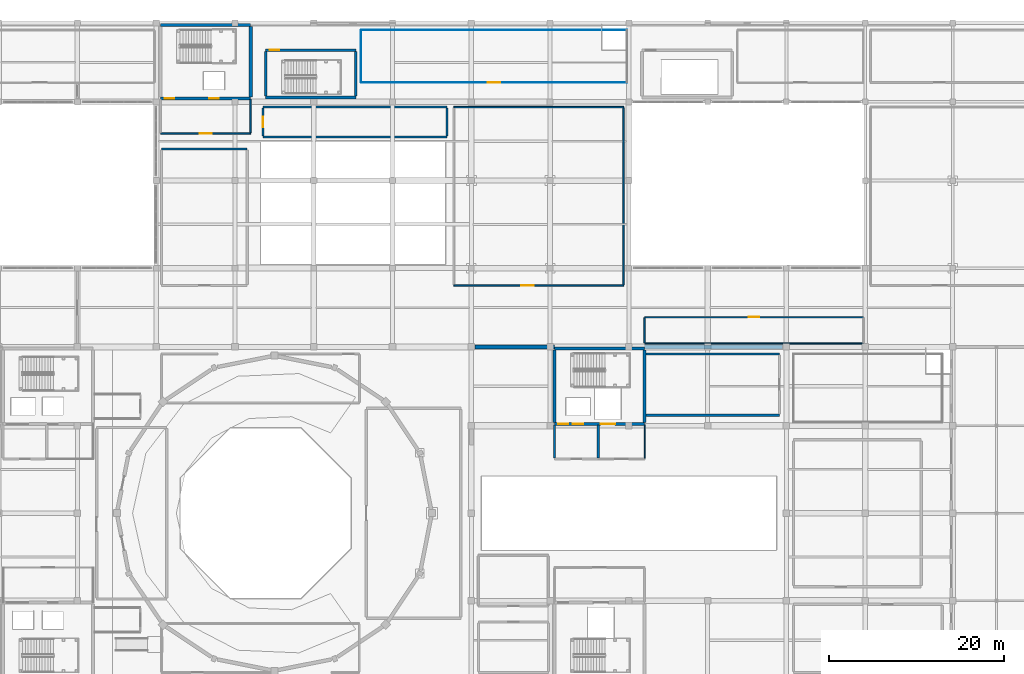
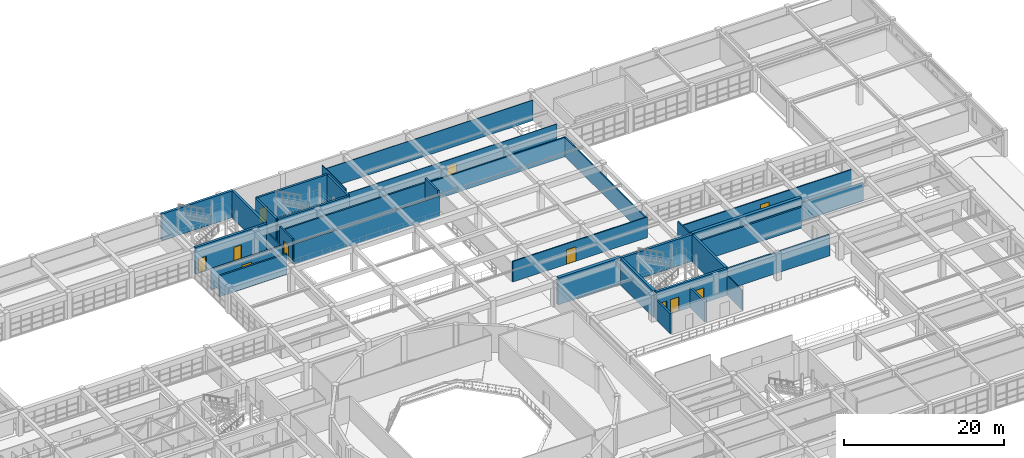
# One storey, part 115 of 130: 34 walls, 11 doors, 11 openings.
"""IFC4 building model written with IfcOpenShell, lengths in metres."""

from ifc_helpers import new_model, si_unit, direction, frame, frame_2d, origin, place, context, subcontext, project, spatial, rectangle, extrude, material, layer, layer_set, type_object, element, fill, save


model = new_model("IFC4")

# Units and contexts
model_context = context("Model", 3, precision=1e-05, world=origin(), true_north=direction((0.0, 1.0)))
body_context = subcontext(model_context, "Body", "Model", "MODEL_VIEW")
ifc_project = project(units=[si_unit("LENGTHUNIT", "METRE"), si_unit("AREAUNIT", "SQUARE_METRE"), si_unit("VOLUMEUNIT", "CUBIC_METRE"), si_unit("PLANEANGLEUNIT", "RADIAN"), si_unit("MASSUNIT", "GRAM", prefix="KILO")], contexts=[model_context])

# Site, building, storey
site_placement = place(None, origin())
site = spatial("IfcSite", under=ifc_project, at=site_placement, CompositionType="ELEMENT")
building_placement = place(site_placement, origin())
building = spatial("IfcBuilding", under=site, at=building_placement, Name="Miravela Opera House", CompositionType="ELEMENT")
storey_placement = place(building_placement, frame((0.0, 0.0, 9.52001953125)))
storey = spatial("IfcBuildingStorey", under=building, at=storey_placement, Name="L02", CompositionType="ELEMENT", Elevation=9.52001953125)

# Wall, opening, door
ifc_material_1 = material(Name="Acoustic metal-stud gypsum partition")
ifc_layer_1 = layer(ifc_material_1, 0.090087890625)
ifc_layer_set_1 = layer_set([ifc_layer_1])
wall_type_1 = type_object("IfcWallType", Name="ARC-PT-090", PredefinedType="PARTITIONING", material=ifc_layer_set_1)
wall_1_placement = place(storey_placement, frame((86.39990234375, 105.199951171875, 0.0), z_axis=(0.0, 0.0, 1.0), x_axis=(1.0, 0.0, 0.0)))
wall_1 = element("IfcWall", 1, at=wall_1_placement, inside=storey, type_object=wall_type_1, Name="Opera Libretto Study Hall Partition South", PredefinedType="PARTITIONING", context=body_context, shape_type="SweptSolid", body=[
    extrude(rectangle(XDim=30.400146484375, YDim=0.090087890625, at=frame_2d((15.2001953125, 0.0))), origin(), (0.0, 0.0, 1.0), 3.119873046875),
])
opening_1_placement = place(wall_1_placement, frame((14.5, 0.0, 0.0)))
opening_1 = element("IfcOpeningElement", 2, at=opening_1_placement, cuts=wall_1, Name="Opening ID-05", PredefinedType="OPENING", context=body_context, shape_type="SweptSolid", body=[
    extrude(rectangle(XDim=1.39990234375, YDim=2.199951171875, at=frame_2d((0.699951171875, 1.10009765625))), frame((0.0, 0.054931640625, 0.0), z_axis=(0.0, -1.0, 0.0), x_axis=(1.0, 0.0, 0.0)), (0.0, 0.0, 1.0), 0.110107421875),
])
ifc_material_2 = material(Name="Double-leaf glazed mahogany salon door")
door_type_1 = type_object("IfcDoorType", Name="ARC-DR-1400X2200", OperationType="NOTDEFINED", PredefinedType="DOOR", material=ifc_material_2)
door_1_placement = place(opening_1_placement, origin())
door_1 = element("IfcDoor", 3, at=door_1_placement, inside=storey, type_object=door_type_1, Name="Opera Libretto Study Hall Entry Door IDR-L02-0245", OperationType="DOUBLE_DOOR_SINGLE_SWING", OverallHeight=2.199951171875, OverallWidth=1.39990234375, PredefinedType="DOOR", context=body_context, shape_type="SweptSolid", body=[
    extrude(rectangle(XDim=1.39990234375, YDim=2.199951171875, at=frame_2d((0.699951171875, 1.10009765625))), frame((0.0, 0.02490234375, 0.0), z_axis=(0.0, -1.0, 0.0), x_axis=(1.0, 0.0, 0.0)), (0.0, 0.0, 1.0), 0.050048828125),
])
fill(opening_1, door_1)

# Walls
wall_2_placement = place(storey_placement, frame((86.39990234375, 111.199951171875, 0.0), z_axis=(0.0, 0.0, 1.0), x_axis=(1.0, 0.0, 0.0)))
element("IfcWall", 4, at=wall_2_placement, inside=storey, type_object=wall_type_1, Name="Opera Libretto Study Hall Partition North", PredefinedType="PARTITIONING", context=body_context, shape_type="SweptSolid", body=[
    extrude(rectangle(XDim=30.400146484375, YDim=0.090087890625, at=frame_2d((15.2001953125, 0.0))), origin(), (0.0, 0.0, 1.0), 3.119873046875),
])
wall_3_placement = place(storey_placement, frame((86.39990234375, 105.2451171875, 0.0), z_axis=(0.0, 0.0, 1.0), x_axis=(0.0, 1.0, 0.0)))
element("IfcWall", 5, at=wall_3_placement, inside=storey, type_object=wall_type_1, Name="Opera Libretto Study Hall Partition West", PredefinedType="PARTITIONING", context=body_context, shape_type="SweptSolid", body=[
    extrude(rectangle(XDim=5.909912109375, YDim=0.090087890625, at=frame_2d((2.955078125, 0.0))), origin(), (0.0, 0.0, 1.0), 3.840087890625),
])
ifc_material_3 = material(Name="Fire-rated acoustic gypsum partition")
ifc_layer_2 = layer(ifc_material_3, 0.1298828125)
ifc_layer_set_2 = layer_set([ifc_layer_2])
wall_type_2 = type_object("IfcWallType", Name="ARC-PT-130", PredefinedType="PARTITIONING", material=ifc_layer_set_2)
wall_4_placement = place(storey_placement, frame((118.800048828125, 62.264892578125, 0.0), z_axis=(0.0, 0.0, 1.0), x_axis=(0.0, 1.0, 0.0)))
element("IfcWall", 6, at=wall_4_placement, inside=storey, type_object=wall_type_2, Name="Passenger Lift Lobby K3 L02 Partition East", PredefinedType="PARTITIONING", context=body_context, shape_type="SweptSolid", body=[
    extrude(rectangle(XDim=3.8701171875, YDim=0.1298828125, at=frame_2d((1.93505859375, 0.0))), origin(), (0.0, 0.0, 1.0), 3.070068359375),
])
ifc_material_4 = material(Name="Studio double-stud acoustic partition")
ifc_layer_3 = layer(ifc_material_4, 0.14990234375)
ifc_layer_set_3 = layer_set([ifc_layer_3])
wall_type_3 = type_object("IfcWallType", Name="ARC-PT-145", PredefinedType="PARTITIONING", material=ifc_layer_set_3)
wall_5_placement = place(storey_placement, frame((118.800048828125, 75.39990234375, 0.0), z_axis=(0.0, 0.0, 1.0), x_axis=(1.0, 0.0, 0.0)))
element("IfcWall", 7, at=wall_5_placement, inside=storey, type_object=wall_type_3, Name="Choir Repertoire Preparation Studio Partition South", PredefinedType="PARTITIONING", context=body_context, shape_type="SweptSolid", body=[
    extrude(rectangle(XDim=25.0, YDim=0.14990234375, at=frame_2d((12.5, 0.0))), origin(), (0.0, 0.0, 1.0), 2.820068359375),
])

# Wall, opening, door
wall_6_placement = place(storey_placement, frame((118.800048828125, 78.39990234375, 0.0), z_axis=(0.0, 0.0, 1.0), x_axis=(1.0, 0.0, 0.0)))
wall_6 = element("IfcWall", 8, at=wall_6_placement, inside=storey, type_object=wall_type_3, Name="Choir Repertoire Preparation Studio Partition North", PredefinedType="PARTITIONING", context=body_context, shape_type="SweptSolid", body=[
    extrude(rectangle(XDim=25.0, YDim=0.14990234375, at=frame_2d((12.5, 0.0))), origin(), (0.0, 0.0, 1.0), 2.969970703125),
])
opening_2_placement = place(wall_6_placement, frame((11.89990234375, 0.0, 0.0)))
opening_2 = element("IfcOpeningElement", 9, at=opening_2_placement, cuts=wall_6, Name="Opening ID-04", PredefinedType="OPENING", context=body_context, shape_type="SweptSolid", body=[
    extrude(rectangle(XDim=1.199951171875, YDim=2.199951171875, at=frame_2d((0.60009765625, 1.10009765625))), frame((0.0, 0.0849609375, 0.0), z_axis=(0.0, -1.0, 0.0), x_axis=(1.0, 0.0, 0.0)), (0.0, 0.0, 1.0), 0.169921875),
])
ifc_material_5 = material(Name="Wide acoustic ensemble door")
door_type_2 = type_object("IfcDoorType", Name="ARC-DR-1200X2200", OperationType="NOTDEFINED", PredefinedType="DOOR", material=ifc_material_5)
door_2_placement = place(opening_2_placement, origin())
door_2 = element("IfcDoor", 10, at=door_2_placement, inside=storey, type_object=door_type_2, Name="Choir Repertoire Preparation Studio Entry Door IDR-L02-0239", OperationType="SINGLE_SWING_RIGHT", OverallHeight=2.199951171875, OverallWidth=1.199951171875, PredefinedType="DOOR", context=body_context, shape_type="SweptSolid", body=[
    extrude(rectangle(XDim=1.199951171875, YDim=2.199951171875, at=frame_2d((0.60009765625, 1.10009765625))), frame((0.0, 0.02490234375, 0.0), z_axis=(0.0, -1.0, 0.0), x_axis=(1.0, 0.0, 0.0)), (0.0, 0.0, 1.0), 0.050048828125),
])
fill(opening_2, door_2)

# Wall
wall_7_placement = place(storey_placement, frame((118.800048828125, 75.47509765625, 0.0), z_axis=(0.0, 0.0, 1.0), x_axis=(0.0, 1.0, 0.0)))
element("IfcWall", 11, at=wall_7_placement, inside=storey, type_object=wall_type_3, Name="Choir Repertoire Preparation Studio Partition West", PredefinedType="PARTITIONING", context=body_context, shape_type="SweptSolid", body=[
    extrude(rectangle(XDim=2.849853515625, YDim=0.14990234375, at=frame_2d((1.4248046875, 0.0))), origin(), (0.0, 0.0, 1.0), 3.840087890625),
])

# Wall, opening, door
ifc_material_6 = material(Name="Rehearsal isolated acoustic partition")
ifc_layer_4 = layer(ifc_material_6, 0.169921875)
ifc_layer_set_4 = layer_set([ifc_layer_4])
wall_type_4 = type_object("IfcWallType", Name="ARC-PT-170", PredefinedType="PARTITIONING", material=ifc_layer_set_4)
wall_8_placement = place(storey_placement, frame((63.5, 99.39990234375, 0.0), z_axis=(0.0, 0.0, 1.0), x_axis=(1.0, 0.0, 0.0)))
wall_8 = element("IfcWall", 12, at=wall_8_placement, inside=storey, type_object=wall_type_4, Name="Passenger Lift Lobby K5 L02 Partition South", PredefinedType="PARTITIONING", context=body_context, shape_type="SweptSolid", body=[
    extrude(rectangle(XDim=10.300048828125, YDim=0.169921875, at=frame_2d((5.14990234375, 0.0))), origin(), (0.0, 0.0, 1.0), 3.169921875),
])
opening_3_placement = place(wall_8_placement, frame((4.449951171875, 0.0, 0.0)))
opening_3 = element("IfcOpeningElement", 13, at=opening_3_placement, cuts=wall_8, Name="Opening FD-03", PredefinedType="OPENING", context=body_context, shape_type="SweptSolid", body=[
    extrude(rectangle(XDim=1.39990234375, YDim=2.199951171875, at=frame_2d((0.699951171875, 1.10009765625))), frame((0.0, 0.094970703125, 0.0), z_axis=(0.0, -1.0, 0.0), x_axis=(1.0, 0.0, 0.0)), (0.0, 0.0, 1.0), 0.18994140625),
])
ifc_material_7 = material(Name="Fire-rated lobby/archive double door")
door_type_3 = type_object("IfcDoorType", Name="ARC-FD-1400X2200", OperationType="NOTDEFINED", PredefinedType="DOOR", material=ifc_material_7)
door_3_placement = place(opening_3_placement, frame((1.39990234375, 0.0, 0.0), z_axis=(0.0, 0.0, 1.0), x_axis=(-1.0, 0.0, 0.0)))
door_3 = element("IfcDoor", 14, at=door_3_placement, inside=storey, type_object=door_type_3, Name="Passenger Lift Lobby K5 L02 Entry Door IDR-L02-0219", OperationType="DOUBLE_DOOR_SINGLE_SWING", OverallHeight=2.199951171875, OverallWidth=1.39990234375, PredefinedType="DOOR", context=body_context, shape_type="SweptSolid", body=[
    extrude(rectangle(XDim=1.39990234375, YDim=2.199951171875, at=frame_2d((0.699951171875, 1.10009765625))), frame((0.0, 0.02490234375, 0.0), z_axis=(0.0, -1.0, 0.0), x_axis=(1.0, 0.0, 0.0)), (0.0, 0.0, 1.0), 0.050048828125),
])
fill(opening_3, door_3)

# Wall
wall_9_placement = place(storey_placement, frame((73.800048828125, 99.485107421875, 0.0), z_axis=(0.0, 0.0, 1.0), x_axis=(0.0, 1.0, 0.0)))
element("IfcWall", 15, at=wall_9_placement, inside=storey, type_object=wall_type_4, Name="Passenger Lift Lobby K5 L02 Partition East", PredefinedType="PARTITIONING", context=body_context, shape_type="SweptSolid", body=[
    extrude(rectangle(XDim=3.829833984375, YDim=0.169921875, at=frame_2d((1.9150390625, 0.0))), origin(), (0.0, 0.0, 1.0), 2.919921875),
])

# Wall, opening, door
wall_10_placement = place(storey_placement, frame((97.0, 82.0, 0.0), z_axis=(0.0, 0.0, 1.0), x_axis=(1.0, 0.0, 0.0)))
wall_10 = element("IfcWall", 16, at=wall_10_placement, inside=storey, type_object=wall_type_4, Name="Studio Balcony Seating Tier Partition South", PredefinedType="PARTITIONING", context=body_context, shape_type="SweptSolid", body=[
    extrude(rectangle(XDim=19.39990234375, YDim=0.169921875, at=frame_2d((9.699951171875, 0.0))), origin(), (0.0, 0.0, 1.0), 3.139892578125),
])
opening_4_placement = place(wall_10_placement, frame((7.712890625, 0.0, 0.0)))
opening_4 = element("IfcOpeningElement", 17, at=opening_4_placement, cuts=wall_10, Name="Opening FD-03", PredefinedType="OPENING", context=body_context, shape_type="SweptSolid", body=[
    extrude(rectangle(XDim=1.39990234375, YDim=2.199951171875, at=frame_2d((0.699951171875, 1.10009765625))), frame((0.0, 0.094970703125, 0.0), z_axis=(0.0, -1.0, 0.0), x_axis=(1.0, 0.0, 0.0)), (0.0, 0.0, 1.0), 0.18994140625),
])
door_4_placement = place(opening_4_placement, frame((1.39990234375, 0.0, 0.0), z_axis=(0.0, 0.0, 1.0), x_axis=(-1.0, 0.0, 0.0)))
door_4 = element("IfcDoor", 18, at=door_4_placement, inside=storey, type_object=door_type_3, Name="Studio Balcony Seating Tier Entry Door IDR-L02-0231", OperationType="DOUBLE_DOOR_SINGLE_SWING", OverallHeight=2.199951171875, OverallWidth=1.39990234375, PredefinedType="DOOR", context=body_context, shape_type="SweptSolid", body=[
    extrude(rectangle(XDim=1.39990234375, YDim=2.199951171875, at=frame_2d((0.699951171875, 1.10009765625))), frame((0.0, 0.02490234375, 0.0), z_axis=(0.0, -1.0, 0.0), x_axis=(1.0, 0.0, 0.0)), (0.0, 0.0, 1.0), 0.050048828125),
])
fill(opening_4, door_4)

# Walls
wall_11_placement = place(storey_placement, frame((97.0, 102.39990234375, 0.0), z_axis=(0.0, 0.0, 1.0), x_axis=(1.0, 0.0, 0.0)))
element("IfcWall", 19, at=wall_11_placement, inside=storey, type_object=wall_type_4, Name="Studio Balcony Seating Tier Partition North", PredefinedType="PARTITIONING", context=body_context, shape_type="SweptSolid", body=[
    extrude(rectangle(XDim=19.39990234375, YDim=0.169921875, at=frame_2d((9.699951171875, 0.0))), origin(), (0.0, 0.0, 1.0), 2.969970703125),
])
wall_12_placement = place(storey_placement, frame((116.39990234375, 82.0849609375, 0.0), z_axis=(0.0, 0.0, 1.0), x_axis=(0.0, 1.0, 0.0)))
element("IfcWall", 20, at=wall_12_placement, inside=storey, type_object=wall_type_4, Name="Studio Balcony Seating Tier Partition East", PredefinedType="PARTITIONING", context=body_context, shape_type="SweptSolid", body=[
    extrude(rectangle(XDim=20.22998046875, YDim=0.169921875, at=frame_2d((10.114990234375, 0.0))), origin(), (0.0, 0.0, 1.0), 2.919921875),
])
ifc_material_8 = material(Name="High-STC auditorium lobby partition")
ifc_layer_5 = layer(ifc_material_8, 0.22998046875)
ifc_layer_set_5 = layer_set([ifc_layer_5])
wall_type_5 = type_object("IfcWallType", Name="ARC-PT-205", PredefinedType="PARTITIONING", material=ifc_layer_set_5)
for number, where, z_axis, x_axis, name in (
    (21, (75.199951171875, 99.0, 0.0), (0.0, 0.0, 1.0), (1.0, 0.0, 0.0), "Soloist Piano Accompaniment Studio Partition South"),
    (22, (75.199951171875, 102.39990234375, 0.0), (0.0, 0.0, 1.0), (1.0, 0.0, 0.0), "Soloist Piano Accompaniment Studio Partition North"),
):
    element("IfcWall", number, at=place(storey_placement, frame(where, z_axis=z_axis, x_axis=x_axis)), inside=storey, type_object=wall_type_5, Name=name, PredefinedType="PARTITIONING", context=body_context, shape_type="SweptSolid", body=[
        extrude(rectangle(XDim=21.0, YDim=0.22998046875, at=frame_2d((10.5, 0.0))), origin(), (0.0, 0.0, 1.0), 3.119873046875),
    ])

# Wall, opening, door
wall_13_placement = place(storey_placement, frame((75.199951171875, 99.114990234375, 0.0), z_axis=(0.0, 0.0, 1.0), x_axis=(0.0, 1.0, 0.0)))
wall_13 = element("IfcWall", 23, at=wall_13_placement, inside=storey, type_object=wall_type_5, Name="Soloist Piano Accompaniment Studio Partition West", PredefinedType="PARTITIONING", context=body_context, shape_type="SweptSolid", body=[
    extrude(rectangle(XDim=3.169921875, YDim=0.22998046875, at=frame_2d((1.5849609375, 0.0))), origin(), (0.0, 0.0, 1.0), 3.840087890625),
])
opening_5_placement = place(wall_13_placement, frame((0.985107421875, 0.0, 0.0)))
opening_5 = element("IfcOpeningElement", 24, at=opening_5_placement, cuts=wall_13, Name="Opening ID-04", PredefinedType="OPENING", context=body_context, shape_type="SweptSolid", body=[
    extrude(rectangle(XDim=1.199951171875, YDim=2.199951171875, at=frame_2d((0.60009765625, 1.10009765625))), frame((0.0, 0.125, 0.0), z_axis=(0.0, -1.0, 0.0), x_axis=(1.0, 0.0, 0.0)), (0.0, 0.0, 1.0), 0.25),
])
door_5_placement = place(opening_5_placement, frame((1.199951171875, 0.0, 0.0), z_axis=(0.0, 0.0, 1.0), x_axis=(-1.0, 0.0, 0.0)))
door_5 = element("IfcDoor", 25, at=door_5_placement, inside=storey, type_object=door_type_2, Name="Soloist Piano Accompaniment Studio Entry Door IDR-L02-0252", OperationType="SINGLE_SWING_RIGHT", OverallHeight=2.199951171875, OverallWidth=1.199951171875, PredefinedType="DOOR", context=body_context, shape_type="SweptSolid", body=[
    extrude(rectangle(XDim=1.199951171875, YDim=2.199951171875, at=frame_2d((0.60009765625, 1.10009765625))), frame((0.0, 0.02490234375, 0.0), z_axis=(0.0, -1.0, 0.0), x_axis=(1.0, 0.0, 0.0)), (0.0, 0.0, 1.0), 0.050048828125),
])
fill(opening_5, door_5)

# Walls
wall_14_placement = place(storey_placement, frame((96.199951171875, 99.114990234375, 0.0), z_axis=(0.0, 0.0, 1.0), x_axis=(0.0, 1.0, 0.0)))
element("IfcWall", 26, at=wall_14_placement, inside=storey, type_object=wall_type_5, Name="Soloist Piano Accompaniment Studio Partition East", PredefinedType="PARTITIONING", context=body_context, shape_type="SweptSolid", body=[
    extrude(rectangle(XDim=3.169921875, YDim=0.22998046875, at=frame_2d((1.5849609375, 0.0))), origin(), (0.0, 0.0, 1.0), 3.840087890625),
])
ifc_material_9 = material(Name="Firefighting lobby compartment wall")
ifc_layer_6 = layer(ifc_material_9, 0.25)
ifc_layer_set_6 = layer_set([ifc_layer_6])
wall_type_6 = type_object("IfcWallType", Name="ARC-PT-220", PredefinedType="PARTITIONING", material=ifc_layer_set_6)
for number, where, z_axis, x_axis, name in (
    (27, (108.5, 62.324951171875, 0.0), (0.0, 0.0, 1.0), (0.0, 1.0, 0.0), "Firefighting Lobby K3 L02 Partition West"),
    (28, (113.5, 62.324951171875, 0.0), (0.0, 0.0, 1.0), (0.0, 1.0, 0.0), "Firefighting Lobby K3 L02 Partition East"),
):
    element("IfcWall", number, at=place(storey_placement, frame(where, z_axis=z_axis, x_axis=x_axis)), inside=storey, type_object=wall_type_6, Name=name, PredefinedType="PARTITIONING", context=body_context, shape_type="SweptSolid", body=[
        extrude(rectangle(XDim=3.75, YDim=0.25, at=frame_2d((1.875, 0.0))), origin(), (0.0, 0.0, 1.0), 3.070068359375),
    ])
for number, where, z_axis, x_axis, name in (
    (29, (118.97509765625, 67.199951171875, 0.0), (0.0, 0.0, 1.0), (1.0, 0.0, 0.0), "Stage Fly Gallery Lower North Partition South"),
    (30, (118.97509765625, 74.199951171875, 0.0), (0.0, 0.0, 1.0), (1.0, 0.0, 0.0), "Stage Fly Gallery Lower North Partition North"),
):
    element("IfcWall", number, at=place(storey_placement, frame(where, z_axis=z_axis, x_axis=x_axis)), inside=storey, type_object=wall_type_6, Name=name, PredefinedType="PARTITIONING", context=body_context, shape_type="SweptSolid", body=[
        extrude(rectangle(XDim=15.224853515625, YDim=0.25, at=frame_2d((7.6123046875, 0.0))), origin(), (0.0, 0.0, 1.0), 3.169921875),
    ])
wall_15_placement = place(storey_placement, frame((63.60009765625, 97.60009765625, 0.0), z_axis=(0.0, 0.0, 1.0), x_axis=(1.0, 0.0, 0.0)))
element("IfcWall", 31, at=wall_15_placement, inside=storey, type_object=wall_type_6, Name="Orchestral Brass and Percussion Studio Partition North", PredefinedType="PARTITIONING", context=body_context, shape_type="SweptSolid", body=[
    extrude(rectangle(XDim=9.7998046875, YDim=0.25, at=frame_2d((4.89990234375, 0.0))), origin(), (0.0, 0.0, 1.0), 3.169921875),
])

# Wall, openings, doors
ifc_material_10 = material(Name="Concrete C40/50", Category="concrete")
ifc_layer_7 = layer(ifc_material_10, 0.35009765625)
ifc_layer_set_7 = layer_set([ifc_layer_7])
wall_type_7 = type_object("IfcWallType", Name="STR-WALL-CORE-350", PredefinedType="SHEAR", material=ifc_layer_set_7)
wall_16_placement = place(storey_placement, frame((108.5, 66.199951171875, 0.0), z_axis=(0.0, 0.0, 1.0), x_axis=(1.0, 0.0, 0.0)))
wall_16 = element("IfcWall", 32, at=wall_16_placement, inside=storey, type_object=wall_type_7, Name="Core K3 Shear Wall South (L02)", PredefinedType="SHEAR", context=body_context, shape_type="SweptSolid", body=[
    extrude(rectangle(XDim=10.300048828125, YDim=0.35009765625, at=frame_2d((5.14990234375, 0.0))), origin(), (0.0, 0.0, 1.0), 4.080078125),
])
opening_6_placement = place(wall_16_placement, frame((0.449951171875, 0.0, 0.0)))
opening_6 = element("IfcOpeningElement", 33, at=opening_6_placement, cuts=wall_16, Name="Opening FD-01", PredefinedType="OPENING", context=body_context, shape_type="SweptSolid", body=[
    extrude(rectangle(XDim=1.10009765625, YDim=2.199951171875, at=frame_2d((0.550048828125, 1.10009765625))), frame((0.0, 0.18505859375, 0.0), z_axis=(0.0, -1.0, 0.0), x_axis=(1.0, 0.0, 0.0)), (0.0, 0.0, 1.0), 0.3701171875),
])
opening_7_placement = place(wall_16_placement, frame((2.090087890625, 0.0, 0.0)))
opening_7 = element("IfcOpeningElement", 34, at=opening_7_placement, cuts=wall_16, Name="Opening LD-01", PredefinedType="OPENING", context=body_context, shape_type="SweptSolid", body=[
    extrude(rectangle(XDim=1.219970703125, YDim=2.199951171875, at=frame_2d((0.60986328125, 1.10009765625))), frame((0.0, 0.18505859375, 0.0), z_axis=(0.0, -1.0, 0.0), x_axis=(1.0, 0.0, 0.0)), (0.0, 0.0, 1.0), 0.3701171875),
])
opening_8_placement = place(wall_16_placement, frame((5.27490234375, 0.0, 0.0)))
opening_8 = element("IfcOpeningElement", 35, at=opening_8_placement, cuts=wall_16, Name="Opening LD-03", PredefinedType="OPENING", context=body_context, shape_type="SweptSolid", body=[
    extrude(rectangle(XDim=1.64990234375, YDim=2.340087890625, at=frame_2d((0.824951171875, 1.169921875))), frame((0.0, 0.18505859375, 0.0), z_axis=(0.0, -1.0, 0.0), x_axis=(1.0, 0.0, 0.0)), (0.0, 0.0, 1.0), 0.3701171875),
])
ifc_material_11 = material(Name="Fire-rated steel/hardwood exit stair door", Category="steel")
door_type_4 = type_object("IfcDoorType", Name="ARC-FD-1100X2200", OperationType="NOTDEFINED", PredefinedType="DOOR", material=ifc_material_11)
door_6_placement = place(opening_6_placement, origin())
door_6 = element("IfcDoor", 36, at=door_6_placement, inside=storey, type_object=door_type_4, Name="Exit Stair ST-03 Rated Door (L02) IDR-L02-0019", OperationType="SINGLE_SWING_LEFT", OverallHeight=2.199951171875, OverallWidth=1.10009765625, PredefinedType="DOOR", context=body_context, shape_type="SweptSolid", body=[
    extrude(rectangle(XDim=1.10009765625, YDim=2.199951171875, at=frame_2d((0.550048828125, 1.10009765625))), frame((0.0, 0.02490234375, 0.0), z_axis=(0.0, -1.0, 0.0), x_axis=(1.0, 0.0, 0.0)), (0.0, 0.0, 1.0), 0.050048828125),
])
fill(opening_6, door_6)
ifc_material_12 = material(Name="Brushed stainless and bronze fire-rated lift landing door")
door_type_5 = type_object("IfcDoorType", Name="ARC-LD-FFL-1200X2200", OperationType="SLIDING_TO_LEFT", PredefinedType="DOOR", material=ifc_material_12)
door_7_placement = place(opening_7_placement, origin())
door_7 = element("IfcDoor", 37, at=door_7_placement, inside=storey, type_object=door_type_5, Name="Lift Landing Door FFL-02 (L02)", OperationType="SLIDING_TO_LEFT", OverallHeight=2.199951171875, OverallWidth=1.219970703125, PredefinedType="DOOR", context=body_context, shape_type="SweptSolid", body=[
    extrude(rectangle(XDim=1.219970703125, YDim=2.199951171875, at=frame_2d((0.60986328125, 1.10009765625))), frame((0.0, 0.02490234375, 0.0), z_axis=(0.0, -1.0, 0.0), x_axis=(1.0, 0.0, 0.0)), (0.0, 0.0, 1.0), 0.050048828125),
])
fill(opening_7, door_7)
door_type_6 = type_object("IfcDoorType", Name="ARC-LD-FRT-1650X2350", OperationType="SLIDING_TO_LEFT", PredefinedType="DOOR", material=ifc_material_12)
door_8_placement = place(opening_8_placement, origin())
door_8 = element("IfcDoor", 38, at=door_8_placement, inside=storey, type_object=door_type_6, Name="Lift Landing Door FL-01 (L02)", OperationType="SLIDING_TO_LEFT", OverallHeight=2.340087890625, OverallWidth=1.64990234375, PredefinedType="DOOR", context=body_context, shape_type="SweptSolid", body=[
    extrude(rectangle(XDim=1.64990234375, YDim=2.340087890625, at=frame_2d((0.824951171875, 1.169921875))), frame((0.0, 0.02490234375, 0.0), z_axis=(0.0, -1.0, 0.0), x_axis=(1.0, 0.0, 0.0)), (0.0, 0.0, 1.0), 0.050048828125),
])
fill(opening_8, door_8)

# Walls
wall_17_placement = place(storey_placement, frame((108.5, 74.800048828125, 0.0), z_axis=(0.0, 0.0, 1.0), x_axis=(1.0, 0.0, 0.0)))
element("IfcWall", 39, at=wall_17_placement, inside=storey, type_object=wall_type_7, Name="Core K3 Shear Wall North (L02)", PredefinedType="SHEAR", context=body_context, shape_type="SweptSolid", body=[
    extrude(rectangle(XDim=10.300048828125, YDim=0.35009765625, at=frame_2d((5.14990234375, 0.0))), origin(), (0.0, 0.0, 1.0), 4.080078125),
])
for number, where, z_axis, x_axis, name in (
    (40, (108.5, 66.375, 0.0), (0.0, 0.0, 1.0), (0.0, 1.0, 0.0), "Core K3 Shear Wall West (L02)"),
    (41, (118.800048828125, 66.375, 0.0), (0.0, 0.0, 1.0), (0.0, 1.0, 0.0), "Core K3 Shear Wall East (L02)"),
):
    element("IfcWall", number, at=place(storey_placement, frame(where, z_axis=z_axis, x_axis=x_axis)), inside=storey, type_object=wall_type_7, Name=name, PredefinedType="SHEAR", context=body_context, shape_type="SweptSolid", body=[
        extrude(rectangle(XDim=8.25, YDim=0.35009765625, at=frame_2d((4.125, 0.0))), origin(), (0.0, 0.0, 1.0), 4.080078125),
    ])

# Wall, openings, doors
wall_18_placement = place(storey_placement, frame((63.5, 103.39990234375, 0.0), z_axis=(0.0, 0.0, 1.0), x_axis=(1.0, 0.0, 0.0)))
wall_18 = element("IfcWall", 42, at=wall_18_placement, inside=storey, type_object=wall_type_7, Name="Core K5 Shear Wall South (L02)", PredefinedType="SHEAR", context=body_context, shape_type="SweptSolid", body=[
    extrude(rectangle(XDim=10.300048828125, YDim=0.35009765625, at=frame_2d((5.14990234375, 0.0))), origin(), (0.0, 0.0, 1.0), 4.080078125),
])
opening_9_placement = place(wall_18_placement, frame((0.449951171875, 0.0, 0.0)))
opening_9 = element("IfcOpeningElement", 43, at=opening_9_placement, cuts=wall_18, Name="Opening FD-01", PredefinedType="OPENING", context=body_context, shape_type="SweptSolid", body=[
    extrude(rectangle(XDim=1.10009765625, YDim=2.199951171875, at=frame_2d((0.550048828125, 1.10009765625))), frame((0.0, 0.18505859375, 0.0), z_axis=(0.0, -1.0, 0.0), x_axis=(1.0, 0.0, 0.0)), (0.0, 0.0, 1.0), 0.3701171875),
])
opening_10_placement = place(wall_18_placement, frame((5.5400390625, 0.0, 0.0)))
opening_10 = element("IfcOpeningElement", 44, at=opening_10_placement, cuts=wall_18, Name="Opening LD-02", PredefinedType="OPENING", context=body_context, shape_type="SweptSolid", body=[
    extrude(rectangle(XDim=1.1201171875, YDim=2.159912109375, at=frame_2d((0.56005859375, 1.080078125))), frame((0.0, 0.18505859375, 0.0), z_axis=(0.0, -1.0, 0.0), x_axis=(1.0, 0.0, 0.0)), (0.0, 0.0, 1.0), 0.3701171875),
])
door_9_placement = place(opening_9_placement, origin())
door_9 = element("IfcDoor", 45, at=door_9_placement, inside=storey, type_object=door_type_4, Name="Exit Stair ST-05 Rated Door (L02) IDR-L02-0033", OperationType="SINGLE_SWING_LEFT", OverallHeight=2.199951171875, OverallWidth=1.10009765625, PredefinedType="DOOR", context=body_context, shape_type="SweptSolid", body=[
    extrude(rectangle(XDim=1.10009765625, YDim=2.199951171875, at=frame_2d((0.550048828125, 1.10009765625))), frame((0.0, 0.02490234375, 0.0), z_axis=(0.0, -1.0, 0.0), x_axis=(1.0, 0.0, 0.0)), (0.0, 0.0, 1.0), 0.050048828125),
])
fill(opening_9, door_9)
door_type_7 = type_object("IfcDoorType", Name="ARC-LD-PAX-1100X2150", OperationType="SLIDING_TO_LEFT", PredefinedType="DOOR", material=ifc_material_12)
door_10_placement = place(opening_10_placement, origin())
door_10 = element("IfcDoor", 46, at=door_10_placement, inside=storey, type_object=door_type_7, Name="Lift Landing Door PL-04 (L02)", OperationType="SLIDING_TO_LEFT", OverallHeight=2.159912109375, OverallWidth=1.1201171875, PredefinedType="DOOR", context=body_context, shape_type="SweptSolid", body=[
    extrude(rectangle(XDim=1.1201171875, YDim=2.159912109375, at=frame_2d((0.56005859375, 1.080078125))), frame((0.0, 0.02490234375, 0.0), z_axis=(0.0, -1.0, 0.0), x_axis=(1.0, 0.0, 0.0)), (0.0, 0.0, 1.0), 0.050048828125),
])
fill(opening_10, door_10)

# Walls
wall_19_placement = place(storey_placement, frame((63.5, 111.800048828125, 0.0), z_axis=(0.0, 0.0, 1.0), x_axis=(1.0, 0.0, 0.0)))
element("IfcWall", 47, at=wall_19_placement, inside=storey, type_object=wall_type_7, Name="Core K5 Shear Wall North (L02)", PredefinedType="SHEAR", context=body_context, shape_type="SweptSolid", body=[
    extrude(rectangle(XDim=10.300048828125, YDim=0.35009765625, at=frame_2d((5.14990234375, 0.0))), origin(), (0.0, 0.0, 1.0), 4.080078125),
])
wall_20_placement = place(storey_placement, frame((73.800048828125, 103.574951171875, 0.0), z_axis=(0.0, 0.0, 1.0), x_axis=(0.0, 1.0, 0.0)))
element("IfcWall", 48, at=wall_20_placement, inside=storey, type_object=wall_type_7, Name="Core K5 Shear Wall East (L02)", PredefinedType="SHEAR", context=body_context, shape_type="SweptSolid", body=[
    extrude(rectangle(XDim=8.050048828125, YDim=0.35009765625, at=frame_2d((4.02490234375, 0.0))), origin(), (0.0, 0.0, 1.0), 4.080078125),
])
ifc_layer_8 = layer(ifc_material_10, 0.449951171875)
ifc_layer_set_8 = layer_set([ifc_layer_8])
wall_type_8 = type_object("IfcWallType", Name="STR-WALL-PROSC-450", PredefinedType="SHEAR", material=ifc_layer_set_8)
wall_21_placement = place(storey_placement, frame((99.425048828125, 75.0, 0.0), z_axis=(0.0, 0.0, 1.0), x_axis=(1.0, 0.0, 0.0)))
element("IfcWall", 49, at=wall_21_placement, inside=storey, type_object=wall_type_8, Name="Stage House North Shear Wall W (L02)", PredefinedType="SHEAR", context=body_context, shape_type="SweptSolid", body=[
    extrude(rectangle(XDim=9.074951171875, YDim=0.449951171875, at=frame_2d((4.53759765625, 0.0))), origin(), (0.0, 0.0, 1.0), 4.080078125),
])
wall_22_placement = place(storey_placement, frame((118.800048828125, 75.0, 0.0), z_axis=(0.0, 0.0, 1.0), x_axis=(1.0, 0.0, 0.0)))
element("IfcWall", 50, at=wall_22_placement, inside=storey, type_object=wall_type_8, Name="Stage House North Shear Wall E (L02)", PredefinedType="SHEAR", context=body_context, shape_type="SweptSolid", body=[
    extrude(rectangle(XDim=15.77490234375, YDim=0.449951171875, at=frame_2d((7.887451171875, 0.0))), origin(), (0.0, 0.0, 1.0), 4.080078125),
])
ifc_material_13 = material(Name="Concrete C35/45", Category="concrete")
ifc_layer_9 = layer(ifc_material_13, 0.300048828125)
ifc_layer_set_9 = layer_set([ifc_layer_9])
wall_type_9 = type_object("IfcWallType", Name="STR-WALL-WING-300", PredefinedType="SHEAR", material=ifc_layer_set_9)
wall_23_placement = place(storey_placement, frame((75.5, 103.5, 0.0), z_axis=(0.0, 0.0, 1.0), x_axis=(1.0, 0.0, 0.0)))
element("IfcWall", 51, at=wall_23_placement, inside=storey, type_object=wall_type_9, Name="Core ST-07 Shear Wall South (L02)", PredefinedType="SHEAR", context=body_context, shape_type="SweptSolid", body=[
    extrude(rectangle(XDim=10.300048828125, YDim=0.300048828125, at=frame_2d((5.14990234375, 0.0))), origin(), (0.0, 0.0, 1.0), 4.080078125),
])

# Wall, opening, door
wall_24_placement = place(storey_placement, frame((75.5, 108.89990234375, 0.0), z_axis=(0.0, 0.0, 1.0), x_axis=(1.0, 0.0, 0.0)))
wall_24 = element("IfcWall", 52, at=wall_24_placement, inside=storey, type_object=wall_type_9, Name="Core ST-07 Shear Wall North (L02)", PredefinedType="SHEAR", context=body_context, shape_type="SweptSolid", body=[
    extrude(rectangle(XDim=10.300048828125, YDim=0.300048828125, at=frame_2d((5.14990234375, 0.0))), origin(), (0.0, 0.0, 1.0), 4.080078125),
])
opening_11_placement = place(wall_24_placement, frame((0.449951171875, 0.0, 0.0)))
opening_11 = element("IfcOpeningElement", 53, at=opening_11_placement, cuts=wall_24, Name="Opening FD-01", PredefinedType="OPENING", context=body_context, shape_type="SweptSolid", body=[
    extrude(rectangle(XDim=1.10009765625, YDim=2.199951171875, at=frame_2d((0.550048828125, 1.10009765625))), frame((0.0, 0.159912109375, 0.0), z_axis=(0.0, -1.0, 0.0), x_axis=(1.0, 0.0, 0.0)), (0.0, 0.0, 1.0), 0.320068359375),
])
door_11_placement = place(opening_11_placement, frame((1.10009765625, 0.0, 0.0), z_axis=(0.0, 0.0, 1.0), x_axis=(-1.0, 0.0, 0.0)))
door_11 = element("IfcDoor", 54, at=door_11_placement, inside=storey, type_object=door_type_4, Name="Exit Stair ST-07 Rated Door (L02) IDR-L02-0044", OperationType="SINGLE_SWING_RIGHT", OverallHeight=2.199951171875, OverallWidth=1.10009765625, PredefinedType="DOOR", context=body_context, shape_type="SweptSolid", body=[
    extrude(rectangle(XDim=1.10009765625, YDim=2.199951171875, at=frame_2d((0.550048828125, 1.10009765625))), frame((0.0, 0.02490234375, 0.0), z_axis=(0.0, -1.0, 0.0), x_axis=(1.0, 0.0, 0.0)), (0.0, 0.0, 1.0), 0.050048828125),
])
fill(opening_11, door_11)

# Walls
for number, where, z_axis, x_axis, name in (
    (55, (75.5, 103.64990234375, 0.0), (0.0, 0.0, 1.0), (0.0, 1.0, 0.0), "Core ST-07 Shear Wall West (L02)"),
    (56, (85.800048828125, 103.64990234375, 0.0), (0.0, 0.0, 1.0), (0.0, 1.0, 0.0), "Core ST-07 Shear Wall East (L02)"),
):
    element("IfcWall", number, at=place(storey_placement, frame(where, z_axis=z_axis, x_axis=x_axis)), inside=storey, type_object=wall_type_9, Name=name, PredefinedType="SHEAR", context=body_context, shape_type="SweptSolid", body=[
        extrude(rectangle(XDim=5.10009765625, YDim=0.300048828125, at=frame_2d((2.550048828125, 0.0))), origin(), (0.0, 0.0, 1.0), 4.080078125),
    ])

save(model, "model.ifc")
